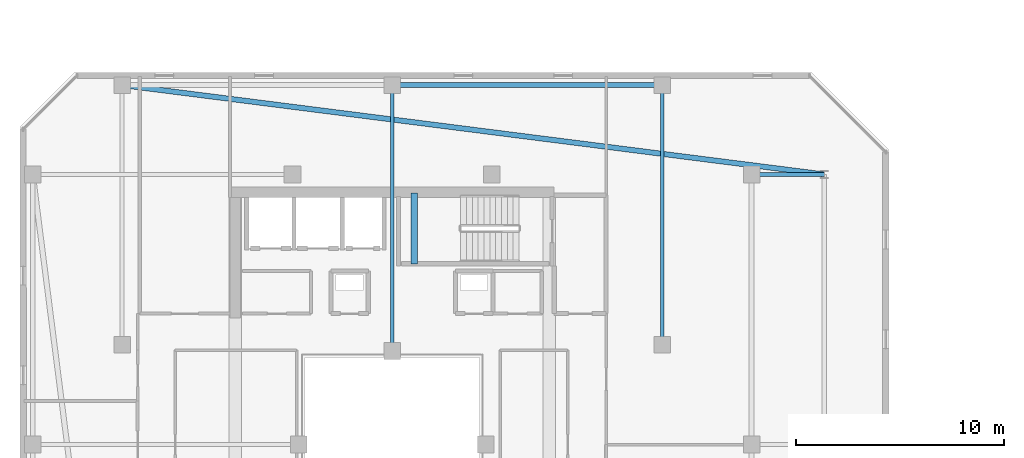
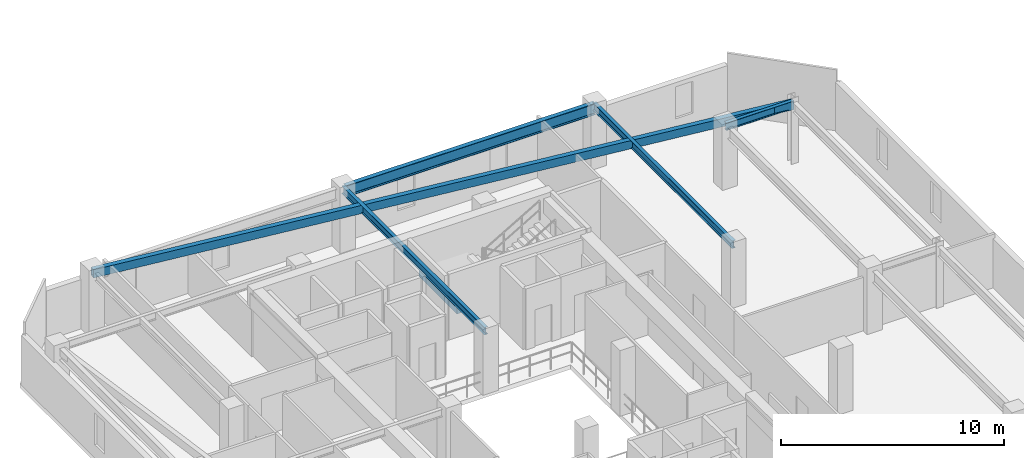
# One storey, part 11 of 34: 6 beams.
"""IFC4 building model written with IfcOpenShell, lengths in metres."""

from ifc_helpers import new_model, si_unit, direction, frame, origin, origin_2d, place, context, subcontext, project, spatial, rectangle, hollow_rectangle, i_section, extrude, material, material_profile, profile_set, type_object, element, save


model = new_model("IFC4")

# Units and contexts
model_context = context("Model", 3, precision=1e-05, world=origin(), true_north=direction((0.0, 1.0)))
body_context = subcontext(model_context, "Body", "Model", "MODEL_VIEW")
ifc_project = project(units=[si_unit("LENGTHUNIT", "METRE"), si_unit("AREAUNIT", "SQUARE_METRE"), si_unit("VOLUMEUNIT", "CUBIC_METRE"), si_unit("PLANEANGLEUNIT", "RADIAN"), si_unit("MASSUNIT", "GRAM", prefix="KILO")], contexts=[model_context])

# Site, building, storey
site_placement = place(None, origin())
site = spatial("IfcSite", under=ifc_project, at=site_placement, CompositionType="ELEMENT")
building_placement = place(site_placement, origin())
building = spatial("IfcBuilding", under=site, at=building_placement, Name="Thornwick Lancets Civic Towers", CompositionType="ELEMENT")
storey_placement = place(building_placement, frame((0.0, 0.0, 261.89990234375)))
storey = spatial("IfcBuildingStorey", under=building, at=storey_placement, Name="L70", CompositionType="ELEMENT", Elevation=261.89990234375)

# Beams
ifc_material_1 = material(Name="Steel S355JR", Category="steel")
ifc_material_profile_1 = material_profile(ifc_material_1, i_section(OverallWidth=0.230224609375, OverallDepth=0.6171875, WebThickness=0.01318359375, FlangeThickness=0.022216796875, FilletRadius=0.0126953125, at=origin_2d()), Name="UKB 610x229x140")
ifc_profile_set_1 = profile_set([ifc_material_profile_1], Name="Steel S355JR")
beam_type_1 = type_object("IfcBeamType", Name="BM_GIRD_610_140", PredefinedType="BEAM", material=ifc_profile_set_1)
beam_1_placement = place(storey_placement, frame((25.580078125, 44.300048828125, 3.051513671875), z_axis=(1.0, 0.0, 0.0), x_axis=(0.0, 1.0, 0.0)))
element("IfcBeam", 1, at=beam_1_placement, inside=storey, type_object=beam_type_1, Name="BM-SPINE-L70-A-7-8", PredefinedType="BEAM", context=body_context, shape_type="SweptSolid", body=[
    extrude(i_section(OverallWidth=0.230224609375, OverallDepth=0.6171875, WebThickness=0.01318359375, FlangeThickness=0.022216796875, FilletRadius=0.0126953125, at=origin_2d()), origin(), (0.0, 0.0, 1.0), 12.919921875),
])
ifc_material_profile_2 = material_profile(ifc_material_1, i_section(OverallWidth=0.179443359375, OverallDepth=0.412841796875, WebThickness=0.009521484375, FlangeThickness=0.01611328125, FilletRadius=0.01025390625, at=origin_2d()), Name="UKB 406x178x74")
ifc_profile_set_2 = profile_set([ifc_material_profile_2], Name="Steel S355JR")
beam_type_2 = type_object("IfcBeamType", Name="BM_JOIST_406_74", PredefinedType="JOIST", material=ifc_profile_set_2)
beam_2_placement = place(storey_placement, frame((42.800048828125, 40.0, 3.15380859375), z_axis=(1.0, 0.0, 0.0), x_axis=(0.0, 1.0, 0.0)))
element("IfcBeam", 2, at=beam_2_placement, inside=storey, type_object=beam_type_2, Name="BM-RAD-L70-A06", PredefinedType="JOIST", context=body_context, shape_type="SweptSolid", body=[
    extrude(i_section(OverallWidth=0.179443359375, OverallDepth=0.412841796875, WebThickness=0.009521484375, FlangeThickness=0.01611328125, FilletRadius=0.01025390625, at=origin_2d()), origin(), (0.0, 0.0, 1.0), 3.5),
])
beam_3_placement = place(storey_placement, frame((25.5, 31.5, 3.15380859375), z_axis=(0.0, 1.0, 0.0), x_axis=(-1.0, 0.0, 0.0)))
element("IfcBeam", 3, at=beam_3_placement, inside=storey, type_object=beam_type_2, Name="BM-RADIN-L70-A08", PredefinedType="JOIST", context=body_context, shape_type="SweptSolid", body=[
    extrude(i_section(OverallWidth=0.179443359375, OverallDepth=0.412841796875, WebThickness=0.009521484375, FlangeThickness=0.01611328125, FilletRadius=0.01025390625, at=origin_2d()), origin(), (0.0, 0.0, 1.0), 12.800048828125),
])
beam_4_placement = place(storey_placement, frame((38.5, 31.800048828125, 3.15380859375), z_axis=(0.0, 1.0, 0.0), x_axis=(-1.0, 0.0, 0.0)))
element("IfcBeam", 4, at=beam_4_placement, inside=storey, type_object=beam_type_2, Name="BM-RADIN-L70-A09", PredefinedType="JOIST", context=body_context, shape_type="SweptSolid", body=[
    extrude(i_section(OverallWidth=0.179443359375, OverallDepth=0.412841796875, WebThickness=0.009521484375, FlangeThickness=0.01611328125, FilletRadius=0.01025390625, at=origin_2d()), origin(), (0.0, 0.0, 1.0), 12.5),
])
ifc_material_profile_3 = material_profile(ifc_material_1, hollow_rectangle(XDim=0.25, YDim=0.449951171875, WallThickness=0.01611328125, at=origin_2d()), Name="RHS 450x250x16")
ifc_profile_set_3 = profile_set([ifc_material_profile_3], Name="Steel S355JR")
beam_type_3 = type_object("IfcBeamType", Name="BM_RING_RHS450", PredefinedType="BEAM", material=ifc_profile_set_3)
beam_5_placement = place(storey_placement, frame((46.300048828125, 40.0, 3.135009765625), z_axis=(-0.992004437051, 0.126202998662, 0.0), x_axis=(-0.126202998662, -0.992004437051, 0.0)))
element("IfcBeam", 5, at=beam_5_placement, inside=storey, type_object=beam_type_3, Name="BM-CHAMF-L70-A-C1", PredefinedType="BEAM", context=body_context, shape_type="SweptSolid", body=[
    extrude(hollow_rectangle(XDim=0.25, YDim=0.449951171875, WallThickness=0.01611328125, at=origin_2d()), origin(), (0.0, 0.0, 1.0), 34.072509765625),
])
ifc_material_2 = material(Name="Concrete C40/50", Category="concrete")
ifc_material_profile_4 = material_profile(ifc_material_2, rectangle(XDim=0.300048828125, YDim=0.35009765625, at=origin_2d()), Name="RC 300x350")
ifc_profile_set_4 = profile_set([ifc_material_profile_4], Name="Concrete C40/50")
beam_type_4 = type_object("IfcBeamType", Name="BM_STAIR_LDG", PredefinedType="BEAM", material=ifc_profile_set_4)
beam_6_placement = place(storey_placement, frame((26.56494140625, 39.10009765625, 1.378173828125), z_axis=(0.0, -1.0, 0.0), x_axis=(1.0, 0.0, 0.0)))
element("IfcBeam", 6, at=beam_6_placement, inside=storey, type_object=beam_type_4, Name="L70 ST-A2 Landing Support Beam 1", PredefinedType="BEAM", context=body_context, shape_type="SweptSolid", body=[
    extrude(rectangle(XDim=0.300048828125, YDim=0.35009765625, at=origin_2d()), origin(), (0.0, 0.0, 1.0), 3.400146484375),
])

save(model, "model.ifc")
